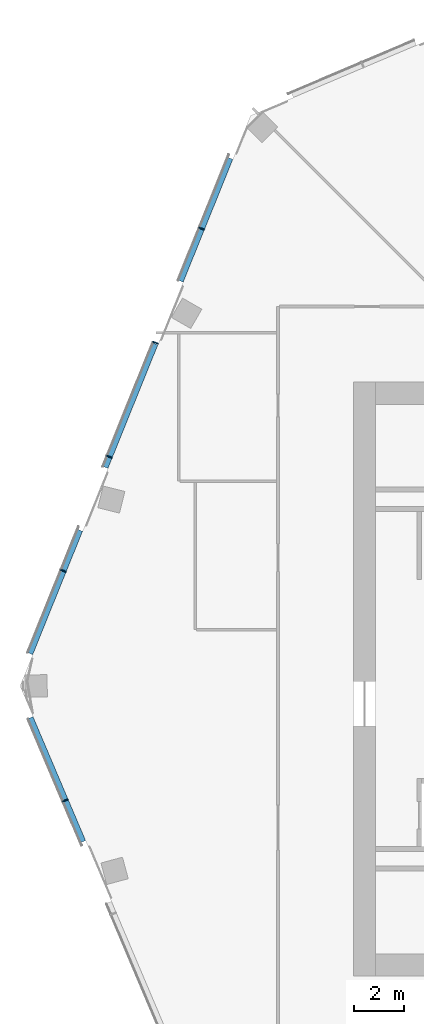
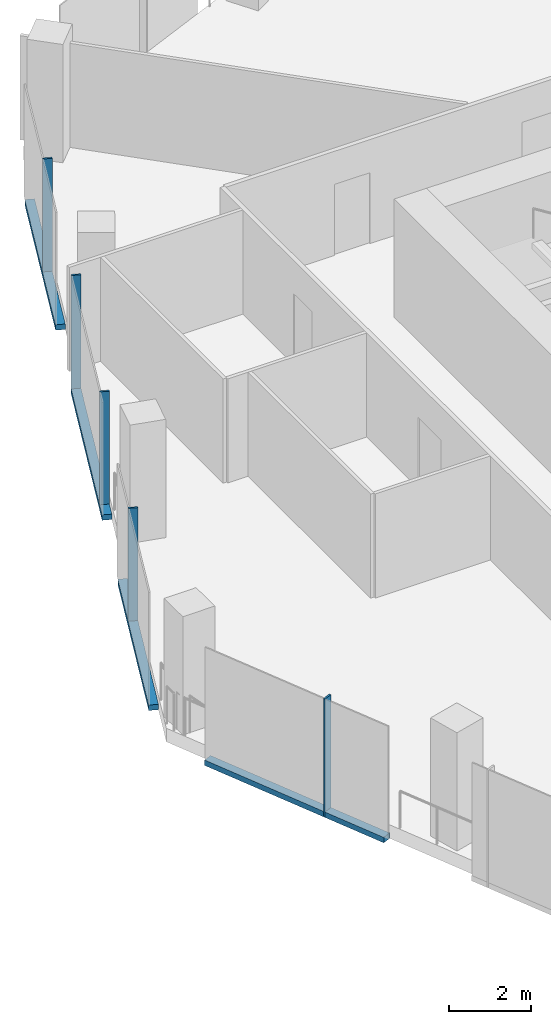
# One storey, part 6 of 26: 9 members, 2 elements without a shape of their own.
"""IFC4 building model written with IfcOpenShell, lengths in metres."""

from ifc_helpers import new_model, si_unit, direction, frame, origin, origin_2d, place, context, subcontext, project, spatial, rectangle, extrude, material, material_profile, profile_set, type_object, element, aggregate, save


model = new_model("IFC4")

# Units and contexts
model_context = context("Model", 3, precision=1e-05, world=origin(), true_north=direction((0.0, 1.0)))
body_context = subcontext(model_context, "Body", "Model", "MODEL_VIEW")
ifc_project = project(units=[si_unit("LENGTHUNIT", "METRE"), si_unit("AREAUNIT", "SQUARE_METRE"), si_unit("VOLUMEUNIT", "CUBIC_METRE"), si_unit("PLANEANGLEUNIT", "RADIAN"), si_unit("MASSUNIT", "GRAM", prefix="KILO")], contexts=[model_context])

# Site, building, storey
site_placement = place(None, origin())
site = spatial("IfcSite", under=ifc_project, at=site_placement, CompositionType="ELEMENT")
building_placement = place(site_placement, origin())
building = spatial("IfcBuilding", under=site, at=building_placement, Name="Orlundy Tower", CompositionType="ELEMENT")
storey_placement = place(building_placement, frame((0.0, 0.0, 275.39990234375)))
storey = spatial("IfcBuildingStorey", under=building, at=storey_placement, Name="L73", CompositionType="ELEMENT", Elevation=275.39990234375)

# Curtain wall, member
ifc_material_1 = material(Name="Aluminium bronze anodised", Category="aluminium")
curtain_wall_type = type_object("IfcCurtainWallType", Name="CW6 wall", PredefinedType="NOTDEFINED", material=ifc_material_1)
curtain_wall_1_placement = place(storey_placement, origin())
curtain_wall_1 = element("IfcCurtainWall", 1, at=curtain_wall_1_placement, inside=storey, type_object=curtain_wall_type, Name="CW6 run 014", PredefinedType="NOTDEFINED")
ifc_material_2 = material(Name="Aluminium bronze anodised", Category="aluminium")
ifc_material_profile_1 = material_profile(ifc_material_2, rectangle(XDim=0.239990234375, YDim=0.050048828125, at=origin_2d()), Name="CW6 mullion 50x240")
ifc_profile_set_1 = profile_set([ifc_material_profile_1], Name="Aluminium bronze anodised")
member_type_1 = type_object("IfcMemberType", Name="CW6 mullion 50x240", PredefinedType="MULLION", material=ifc_profile_set_1)
member_1_placement = place(storey_placement, frame((-30.63916015625, -4.905517578125, -0.39990234375), z_axis=(0.0, 0.0, 1.0), x_axis=(-0.920506804854, -0.390726531244, 0.0)))
member_1 = element("IfcMember", 2, at=member_1_placement, type_object=member_type_1, Name="CW6 mullion 26", PredefinedType="MULLION", context=body_context, shape_type="SweptSolid", body=[
    extrude(rectangle(XDim=0.239990234375, YDim=0.050048828125, at=origin_2d()), origin(), (0.0, 0.0, 1.0), 3.5),
])

# Curtain wall, members
curtain_wall_2_placement = place(storey_placement, origin())
curtain_wall_2 = element("IfcCurtainWall", 3, at=curtain_wall_2_placement, inside=storey, type_object=curtain_wall_type, Name="CW6 run 015", PredefinedType="NOTDEFINED")
member_2_placement = place(storey_placement, frame((-30.72021484375, 4.37060546875, -0.39990234375), z_axis=(0.0, 0.0, 1.0), x_axis=(-0.927183523653, 0.374607412456, 0.0)))
member_2 = element("IfcMember", 4, at=member_2_placement, type_object=member_type_1, Name="CW6 mullion 28", PredefinedType="MULLION", context=body_context, shape_type="SweptSolid", body=[
    extrude(rectangle(XDim=0.239990234375, YDim=0.050048828125, at=origin_2d()), origin(), (0.0, 0.0, 1.0), 3.5),
])
member_3_placement = place(storey_placement, frame((-28.858154296875, 8.979248046875, -0.39990234375), z_axis=(0.0, 0.0, 1.0), x_axis=(-0.927183523653, 0.374607412456, 0.0)))
member_3 = element("IfcMember", 5, at=member_3_placement, type_object=member_type_1, Name="CW6 mullion 29", PredefinedType="MULLION", context=body_context, shape_type="SweptSolid", body=[
    extrude(rectangle(XDim=0.239990234375, YDim=0.050048828125, at=origin_2d()), origin(), (0.0, 0.0, 1.0), 3.5),
])
member_4_placement = place(storey_placement, frame((-26.996337890625, 13.587646484375, -0.39990234375), z_axis=(0.0, 0.0, 1.0), x_axis=(-0.927183523653, 0.374607412456, 0.0)))
member_4 = element("IfcMember", 6, at=member_4_placement, type_object=member_type_1, Name="CW6 mullion 30", PredefinedType="MULLION", context=body_context, shape_type="SweptSolid", body=[
    extrude(rectangle(XDim=0.239990234375, YDim=0.050048828125, at=origin_2d()), origin(), (0.0, 0.0, 1.0), 3.5),
])
member_5_placement = place(storey_placement, frame((-25.13427734375, 18.1962890625, -0.39990234375), z_axis=(0.0, 0.0, 1.0), x_axis=(-0.927183523653, 0.374607412456, 0.0)))
member_5 = element("IfcMember", 7, at=member_5_placement, type_object=member_type_1, Name="CW6 mullion 31", PredefinedType="MULLION", context=body_context, shape_type="SweptSolid", body=[
    extrude(rectangle(XDim=0.239990234375, YDim=0.050048828125, at=origin_2d()), origin(), (0.0, 0.0, 1.0), 3.5),
])

# Member
ifc_material_3 = material(Name="Aluminium bronze anodised", Category="aluminium")
ifc_material_profile_2 = material_profile(ifc_material_3, rectangle(XDim=0.239990234375, YDim=0.159912109375, at=origin_2d()), Name="CW6 transom 240x160")
ifc_profile_set_2 = profile_set([ifc_material_profile_2], Name="Aluminium bronze anodised")
member_type_2 = type_object("IfcMemberType", Name="CW6 transom 240x160", PredefinedType="USERDEFINED", material=ifc_profile_set_2)
member_6_placement = place(storey_placement, frame((-29.931884765625, -6.572021484375, -0.31982421875), z_axis=(-0.390736601904, 0.920502530106, 0.0), x_axis=(-0.920502530106, -0.390736601904, 0.0)))
member_6 = element("IfcMember", 8, at=member_6_placement, type_object=member_type_2, Name="CW6 transom", ObjectType="TRANSOM", PredefinedType="USERDEFINED", context=body_context, shape_type="SweptSolid", body=[
    extrude(rectangle(XDim=0.239990234375, YDim=0.159912109375, at=origin_2d()), origin(), (0.0, 0.0, 1.0), 5.4384765625),
])

aggregate(curtain_wall_1, [member_1, member_6])

member_7_placement = place(storey_placement, frame((-32.069580078125, 1.031005859375, -0.31982421875), z_axis=(0.374638007115, 0.927171161989, 0.0), x_axis=(-0.927171161989, 0.374638007115, 0.0)))
member_7 = element("IfcMember", 9, at=member_7_placement, type_object=member_type_2, Name="CW6 transom", ObjectType="TRANSOM", PredefinedType="USERDEFINED", context=body_context, shape_type="SweptSolid", body=[
    extrude(rectangle(XDim=0.239990234375, YDim=0.159912109375, at=origin_2d()), origin(), (0.0, 0.0, 1.0), 5.375732421875),
])

member_8_placement = place(storey_placement, frame((-29.028564453125, 8.5576171875, -0.31982421875), z_axis=(0.374622232256, 0.927177535912, 0.0), x_axis=(-0.927177535912, 0.374622232256, 0.0)))
member_8 = element("IfcMember", 10, at=member_8_placement, type_object=member_type_2, Name="CW6 transom", ObjectType="TRANSOM", PredefinedType="USERDEFINED", context=body_context, shape_type="SweptSolid", body=[
    extrude(rectangle(XDim=0.239990234375, YDim=0.159912109375, at=origin_2d()), origin(), (0.0, 0.0, 1.0), 5.3759765625),
])

member_9_placement = place(storey_placement, frame((-25.989013671875, 16.080810546875, -0.31982421875), z_axis=(0.374606402895, 0.927183931542, 0.0), x_axis=(-0.927183931542, 0.374606402895, 0.0)))
member_9 = element("IfcMember", 11, at=member_9_placement, type_object=member_type_2, Name="CW6 transom", ObjectType="TRANSOM", PredefinedType="USERDEFINED", context=body_context, shape_type="SweptSolid", body=[
    extrude(rectangle(XDim=0.239990234375, YDim=0.159912109375, at=origin_2d()), origin(), (0.0, 0.0, 1.0), 5.35009765625),
])

aggregate(curtain_wall_2, [member_2, member_3, member_4, member_5, member_7, member_8, member_9])

save(model, "model.ifc")
